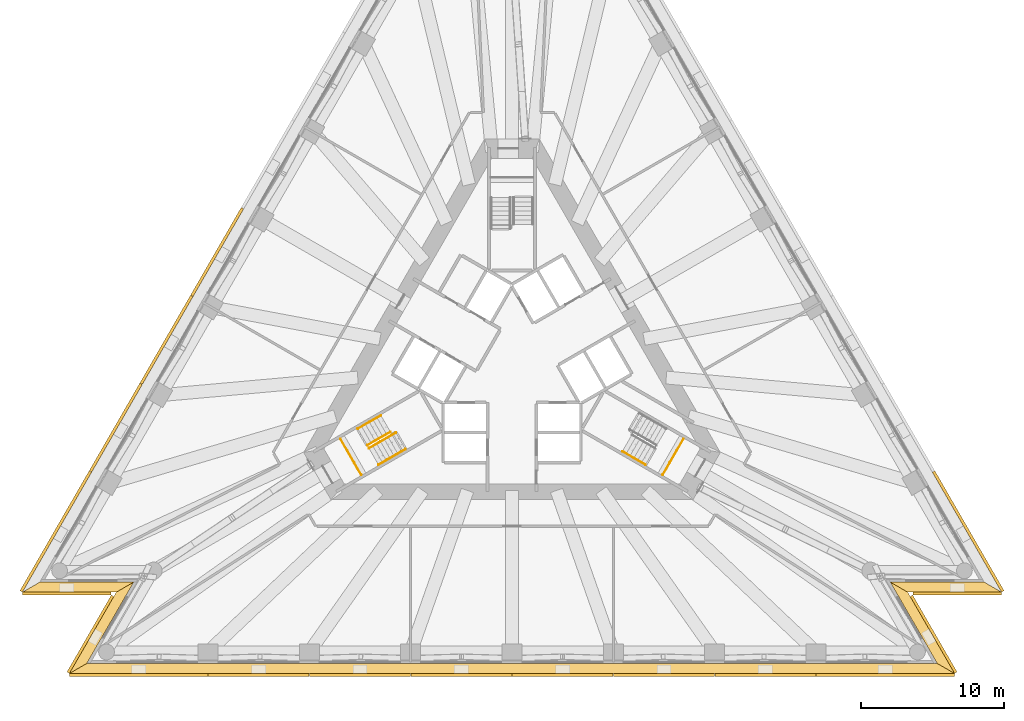
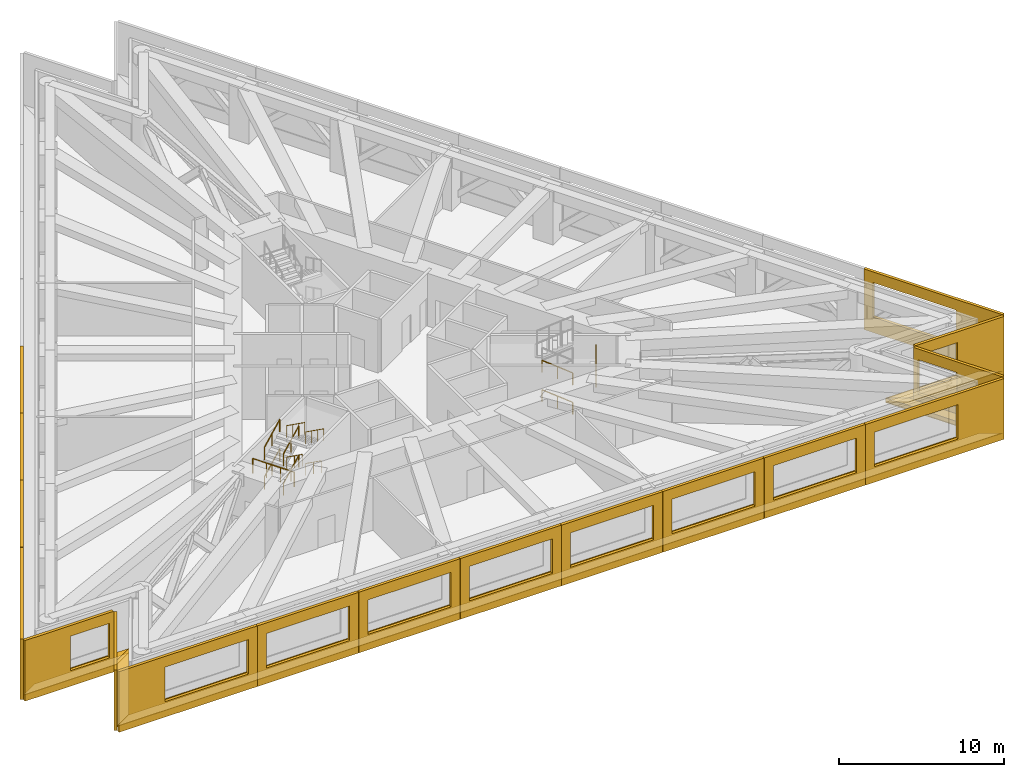
# One storey, part 12 of 13: 22 shading devices, 12 railings, 5 coverings, 2 elements without a shape of their own.
"""IFC4 building model written with IfcOpenShell, lengths in metres."""

from ifc_helpers import new_model, si_unit, direction, frame, origin, origin_2d, place, context, subcontext, project, spatial, polyline, circle, outline, extrude, material, layer, layer_set, layer_usage, type_object, element, aggregate, save


model = new_model("IFC4")

# Units and contexts
model_context = context("Model", 3, precision=1e-05, world=origin(), true_north=direction((0.0, 1.0)))
body_context = subcontext(model_context, "Body", "Model", "MODEL_VIEW")
ifc_project = project(units=[si_unit("LENGTHUNIT", "METRE"), si_unit("AREAUNIT", "SQUARE_METRE"), si_unit("VOLUMEUNIT", "CUBIC_METRE"), si_unit("PLANEANGLEUNIT", "RADIAN"), si_unit("MASSUNIT", "GRAM", prefix="KILO")], contexts=[model_context])

# Site, building, storey
site_placement = place(None, origin())
site = spatial("IfcSite", under=ifc_project, at=site_placement, CompositionType="ELEMENT")
building_placement = place(site_placement, origin())
building = spatial("IfcBuilding", under=site, at=building_placement, Name="Triada Interchange Tower", CompositionType="ELEMENT")
storey_placement = place(building_placement, frame((0.0, 0.0, 95.300048828125)))
storey = spatial("IfcBuildingStorey", under=building, at=storey_placement, Name="L21", CompositionType="ELEMENT", Elevation=95.300048828125)

# Coverings
ifc_material_1 = material(Name="Mineral fire-stop board")
ifc_layer_1 = layer(ifc_material_1, 0.0400390625, Name="Mineral fire-stop board")
ifc_material_2 = material(Name="Intumescent sealant")
ifc_layer_2 = layer(ifc_material_2, 0.010009765625, Name="Intumescent seal")
ifc_layer_set_1 = layer_set([ifc_layer_1, ifc_layer_2], Name="Cavity fire stop")
ifc_layer_usage = layer_usage(ifc_layer_set_1, "AXIS3", "POSITIVE", 0.0)
covering_type = type_object("IfcCoveringType", Name="Cavity fire stop", PredefinedType="INSULATION", material=ifc_layer_set_1)
covering_1_placement = place(storey_placement, origin())
element("IfcCovering", 1, at=covering_1_placement, inside=storey, type_object=covering_type, material=ifc_layer_usage, Name="Cavity fire stop L21 SW-1", PredefinedType="INSULATION", context=body_context, shape_type="SweptSolid", body=[
    extrude(outline(polyline([(-32.985107421875, -15.257080078125), (-34.197021484375, -15.95703125), (-27.637939453125, -15.95703125), (-26.426025390625, -15.257080078125), (-32.985107421875, -15.257080078125)])), origin(), (0.0, 0.0, 1.0), 0.050048828125),
])
covering_2_placement = place(storey_placement, origin())
element("IfcCovering", 2, at=covering_2_placement, inside=storey, type_object=covering_type, material=ifc_layer_usage, Name="Cavity fire stop L21 SW-2", PredefinedType="INSULATION", context=body_context, shape_type="SweptSolid", body=[
    extrude(outline(polyline([(-26.426025390625, -15.257080078125), (-27.637939453125, -15.95703125), (-30.9169921875, -21.636962890625), (-29.705078125, -20.93701171875), (-26.426025390625, -15.257080078125)])), origin(), (0.0, 0.0, 1.0), 0.050048828125),
])
covering_3_placement = place(storey_placement, origin())
element("IfcCovering", 3, at=covering_3_placement, inside=storey, type_object=covering_type, material=ifc_layer_usage, Name="Cavity fire stop L21 S", PredefinedType="INSULATION", context=body_context, shape_type="SweptSolid", body=[
    extrude(outline(polyline([(-29.705078125, -20.93701171875), (-30.9169921875, -21.636962890625), (30.9169921875, -21.636962890625), (29.705078125, -20.93701171875), (-29.705078125, -20.93701171875)])), origin(), (0.0, 0.0, 1.0), 0.050048828125),
])
covering_4_placement = place(storey_placement, origin())
element("IfcCovering", 4, at=covering_4_placement, inside=storey, type_object=covering_type, material=ifc_layer_usage, Name="Cavity fire stop L21 SE-1", PredefinedType="INSULATION", context=body_context, shape_type="SweptSolid", body=[
    extrude(outline(polyline([(29.705078125, -20.93701171875), (30.9169921875, -21.636962890625), (27.637939453125, -15.95703125), (26.426025390625, -15.257080078125), (29.705078125, -20.93701171875)])), origin(), (0.0, 0.0, 1.0), 0.050048828125),
])
covering_5_placement = place(storey_placement, origin())
element("IfcCovering", 5, at=covering_5_placement, inside=storey, type_object=covering_type, material=ifc_layer_usage, Name="Cavity fire stop L21 SE-2", PredefinedType="INSULATION", context=body_context, shape_type="SweptSolid", body=[
    extrude(outline(polyline([(26.426025390625, -15.257080078125), (27.637939453125, -15.95703125), (34.197021484375, -15.95703125), (32.985107421875, -15.257080078125), (26.426025390625, -15.257080078125)])), origin(), (0.0, 0.0, 1.0), 0.050048828125),
])

# Shading devices
ifc_material_3 = material(Name="Aluminium louvre", Category="aluminium")
shading_device_type_1 = type_object("IfcShadingDeviceType", Name="Cavity louvre grille", PredefinedType="JALOUSIE", material=ifc_material_3)
shading_device_1_placement = place(storey_placement, frame((0.0, 0.0, 0.050048828125)))
element("IfcShadingDevice", 6, at=shading_device_1_placement, inside=storey, type_object=shading_device_type_1, Name="Cavity louvre grille L21 SW-1", PredefinedType="JALOUSIE", context=body_context, shape_type="SweptSolid", body=[
    extrude(outline(polyline([(-32.985107421875, -15.257080078125), (-34.197021484375, -15.95703125), (-27.637939453125, -15.95703125), (-26.426025390625, -15.257080078125), (-32.985107421875, -15.257080078125)])), origin(), (0.0, 0.0, 1.0), 0.2998046875),
])
shading_device_2_placement = place(storey_placement, frame((0.0, 0.0, 0.050048828125)))
element("IfcShadingDevice", 7, at=shading_device_2_placement, inside=storey, type_object=shading_device_type_1, Name="Cavity louvre grille L21 SW-2", PredefinedType="JALOUSIE", context=body_context, shape_type="SweptSolid", body=[
    extrude(outline(polyline([(-26.426025390625, -15.257080078125), (-27.637939453125, -15.95703125), (-30.9169921875, -21.636962890625), (-29.705078125, -20.93701171875), (-26.426025390625, -15.257080078125)])), origin(), (0.0, 0.0, 1.0), 0.2998046875),
])
shading_device_3_placement = place(storey_placement, frame((0.0, 0.0, 0.050048828125)))
element("IfcShadingDevice", 8, at=shading_device_3_placement, inside=storey, type_object=shading_device_type_1, Name="Cavity louvre grille L21 S", PredefinedType="JALOUSIE", context=body_context, shape_type="SweptSolid", body=[
    extrude(outline(polyline([(-29.705078125, -20.93701171875), (-30.9169921875, -21.636962890625), (30.9169921875, -21.636962890625), (29.705078125, -20.93701171875), (-29.705078125, -20.93701171875)])), origin(), (0.0, 0.0, 1.0), 0.2998046875),
])
shading_device_4_placement = place(storey_placement, frame((0.0, 0.0, 0.050048828125)))
element("IfcShadingDevice", 9, at=shading_device_4_placement, inside=storey, type_object=shading_device_type_1, Name="Cavity louvre grille L21 SE-1", PredefinedType="JALOUSIE", context=body_context, shape_type="SweptSolid", body=[
    extrude(outline(polyline([(29.705078125, -20.93701171875), (30.9169921875, -21.636962890625), (27.637939453125, -15.95703125), (26.426025390625, -15.257080078125), (29.705078125, -20.93701171875)])), origin(), (0.0, 0.0, 1.0), 0.2998046875),
])
shading_device_5_placement = place(storey_placement, frame((0.0, 0.0, 0.050048828125)))
element("IfcShadingDevice", 10, at=shading_device_5_placement, inside=storey, type_object=shading_device_type_1, Name="Cavity louvre grille L21 SE-2", PredefinedType="JALOUSIE", context=body_context, shape_type="SweptSolid", body=[
    extrude(outline(polyline([(26.426025390625, -15.257080078125), (27.637939453125, -15.95703125), (34.197021484375, -15.95703125), (32.985107421875, -15.257080078125), (26.426025390625, -15.257080078125)])), origin(), (0.0, 0.0, 1.0), 0.2998046875),
])
ifc_material_4 = material(Name="Concrete C50/60 precast", Category="concrete")
ifc_layer_3 = layer(ifc_material_4, 0.02001953125, Name="Exposed aggregate face")
ifc_layer_4 = layer(ifc_material_4, 0.179931640625, Name="Precast concrete screen")
ifc_layer_set_2 = layer_set([ifc_layer_3, ifc_layer_4], Name="Outer skin screen panel 4480")
shading_device_type_2 = type_object("IfcShadingDeviceType", Name="Outer skin screen panel 4480", PredefinedType="SHUTTER", material=ifc_layer_set_2)
shading_device_6_placement = place(storey_placement, frame((-18.742919921875, 10.81005859375, -0.2900390625), z_axis=(0.0, 0.0, 1.0), x_axis=(-0.500010820671, -0.866019156377, 0.0)))
element("IfcShadingDevice", 11, at=shading_device_6_placement, inside=storey, type_object=shading_device_type_2, Name="Outer skin screen panel L21 05", PredefinedType="SHUTTER", context=body_context, shape_type="SweptSolid", body=[
    extrude(outline(polyline([(0.0, 0.0), (7.059814453125, 0.0), (7.059814453125, 4.47998046875), (0.0, 4.47998046875), (0.0, 0.0)]), holes=[polyline([(0.6298828125, 1.139892578125), (0.6298828125, 3.68994140625), (6.4296875, 3.68994140625), (6.4296875, 1.139892578125), (0.6298828125, 1.139892578125)])]), frame((0.0, 0.0, 0.0), z_axis=(0.0, -1.0, 0.0), x_axis=(1.0, 0.0, 0.0)), (0.0, 0.0, 1.0), 0.199951171875),
])
shading_device_7_placement = place(storey_placement, frame((-22.282958984375, 4.678955078125, -0.2900390625), z_axis=(0.0, 0.0, 1.0), x_axis=(-0.49995092924, -0.866053732947, 0.0)))
element("IfcShadingDevice", 12, at=shading_device_7_placement, inside=storey, type_object=shading_device_type_2, Name="Outer skin screen panel L21 06", PredefinedType="SHUTTER", context=body_context, shape_type="SweptSolid", body=[
    extrude(outline(polyline([(0.0, 0.0), (7.060791015625, 0.0), (7.060791015625, 4.47998046875), (0.0, 4.47998046875), (0.0, 0.0)]), holes=[polyline([(0.6298828125, 1.139892578125), (0.6298828125, 3.68994140625), (6.429931640625, 3.68994140625), (6.429931640625, 1.139892578125), (0.6298828125, 1.139892578125)])]), frame((0.0, 0.0, 0.0), z_axis=(0.0, -1.0, 0.0), x_axis=(1.0, 0.0, 0.0)), (0.0, 0.0, 1.0), 0.199951171875),
])
shading_device_8_placement = place(storey_placement, frame((-25.822998046875, -1.452880859375, -0.2900390625), z_axis=(0.0, 0.0, 1.0), x_axis=(-0.500010820671, -0.866019156377, 0.0)))
element("IfcShadingDevice", 13, at=shading_device_8_placement, inside=storey, type_object=shading_device_type_2, Name="Outer skin screen panel L21 07", PredefinedType="SHUTTER", context=body_context, shape_type="SweptSolid", body=[
    extrude(outline(polyline([(0.0, 0.0), (7.059814453125, 0.0), (7.059814453125, 4.47998046875), (0.0, 4.47998046875), (0.0, 0.0)]), holes=[polyline([(0.6298828125, 1.139892578125), (0.6298828125, 3.68994140625), (6.429931640625, 3.68994140625), (6.429931640625, 1.139892578125), (0.6298828125, 1.139892578125)])]), frame((0.0, 0.0, 0.0), z_axis=(0.0, -1.0, 0.0), x_axis=(1.0, 0.0, 0.0)), (0.0, 0.0, 1.0), 0.199951171875),
])
shading_device_9_placement = place(storey_placement, frame((-29.363037109375, -7.583984375, -0.2900390625), z_axis=(0.0, 0.0, 1.0), x_axis=(-0.499991603482, -0.866030251462, 0.0)))
element("IfcShadingDevice", 14, at=shading_device_9_placement, inside=storey, type_object=shading_device_type_2, Name="Outer skin screen panel L21 08", PredefinedType="SHUTTER", context=body_context, shape_type="SweptSolid", body=[
    extrude(outline(polyline([(0.0, 0.0), (9.657958984375, 0.0), (9.657958984375, 4.47998046875), (0.0, 4.47998046875), (0.0, 0.0)]), holes=[polyline([(0.6298828125, 1.139892578125), (0.6298828125, 3.68994140625), (6.429931640625, 3.68994140625), (6.429931640625, 1.139892578125), (0.6298828125, 1.139892578125)])]), frame((0.0, 0.0, 0.0), z_axis=(0.0, -1.0, 0.0), x_axis=(1.0, 0.0, 0.0)), (0.0, 0.0, 1.0), 0.199951171875),
])
shading_device_10_placement = place(storey_placement, frame((-34.18701171875, -15.95703125, -0.2900390625), z_axis=(0.0, 0.0, 1.0), x_axis=(1.0, 0.0, 0.0)))
element("IfcShadingDevice", 15, at=shading_device_10_placement, inside=storey, type_object=shading_device_type_2, Name="Outer skin screen panel L21 09", PredefinedType="SHUTTER", context=body_context, shape_type="SweptSolid", body=[
    extrude(outline(polyline([(0.0, 0.0), (6.19189453125, 0.0), (6.19189453125, 4.47998046875), (0.0, 4.47998046875), (0.0, 0.0)]), holes=[polyline([(3.175048828125, 1.139892578125), (3.175048828125, 3.68994140625), (5.89208984375, 3.68994140625), (5.89208984375, 1.139892578125), (3.175048828125, 1.139892578125)])]), frame((0.0, 0.0, 0.0), z_axis=(0.0, -1.0, 0.0), x_axis=(1.0, 0.0, 0.0)), (0.0, 0.0, 1.0), 0.199951171875),
])
shading_device_11_placement = place(storey_placement, frame((-27.81591796875, -16.26611328125, -0.2900390625), z_axis=(0.0, 0.0, 1.0), x_axis=(-0.500066047367, -0.865987267961, 0.0)))
element("IfcShadingDevice", 16, at=shading_device_11_placement, inside=storey, type_object=shading_device_type_2, Name="Outer skin screen panel L21 10", PredefinedType="SHUTTER", context=body_context, shape_type="SweptSolid", body=[
    extrude(outline(polyline([(0.0, 0.0), (6.191650390625, 0.0), (6.191650390625, 4.47998046875), (0.0, 4.47998046875), (0.0, 0.0)]), holes=[polyline([(0.300048828125, 1.139892578125), (0.300048828125, 3.68994140625), (2.9580078125, 3.68994140625), (2.9580078125, 1.139892578125), (0.300048828125, 1.139892578125)])]), frame((0.0, 0.0, 0.0), z_axis=(0.0, -1.0, 0.0), x_axis=(1.0, 0.0, 0.0)), (0.0, 0.0, 1.0), 0.199951171875),
])
shading_device_12_placement = place(storey_placement, frame((-30.906982421875, -21.636962890625, -0.2900390625), z_axis=(0.0, 0.0, 1.0), x_axis=(1.0, 0.0, 0.0)))
element("IfcShadingDevice", 17, at=shading_device_12_placement, inside=storey, type_object=shading_device_type_2, Name="Outer skin screen panel L21 11", PredefinedType="SHUTTER", context=body_context, shape_type="SweptSolid", body=[
    extrude(outline(polyline([(0.0, 0.0), (9.657958984375, 0.0), (9.657958984375, 4.47998046875), (0.0, 4.47998046875), (0.0, 0.0)]), holes=[polyline([(3.22802734375, 1.139892578125), (3.22802734375, 3.68994140625), (9.028076171875, 3.68994140625), (9.028076171875, 1.139892578125), (3.22802734375, 1.139892578125)])]), frame((0.0, 0.0, 0.0), z_axis=(0.0, -1.0, 0.0), x_axis=(1.0, 0.0, 0.0)), (0.0, 0.0, 1.0), 0.199951171875),
])
shading_device_13_placement = place(storey_placement, frame((-21.22900390625, -21.636962890625, -0.2900390625), z_axis=(0.0, 0.0, 1.0), x_axis=(1.0, 0.0, 0.0)))
element("IfcShadingDevice", 18, at=shading_device_13_placement, inside=storey, type_object=shading_device_type_2, Name="Outer skin screen panel L21 12", PredefinedType="SHUTTER", context=body_context, shape_type="SweptSolid", body=[
    extrude(outline(polyline([(0.0, 0.0), (7.05908203125, 0.0), (7.05908203125, 4.47998046875), (0.0, 4.47998046875), (0.0, 0.0)]), holes=[polyline([(0.630126953125, 1.139892578125), (0.630126953125, 3.68994140625), (6.43017578125, 3.68994140625), (6.43017578125, 1.139892578125), (0.630126953125, 1.139892578125)])]), frame((0.0, 0.0, 0.0), z_axis=(0.0, -1.0, 0.0), x_axis=(1.0, 0.0, 0.0)), (0.0, 0.0, 1.0), 0.199951171875),
])
shading_device_14_placement = place(storey_placement, frame((-14.14990234375, -21.636962890625, -0.2900390625), z_axis=(0.0, 0.0, 1.0), x_axis=(1.0, 0.0, 0.0)))
element("IfcShadingDevice", 19, at=shading_device_14_placement, inside=storey, type_object=shading_device_type_2, Name="Outer skin screen panel L21 13", PredefinedType="SHUTTER", context=body_context, shape_type="SweptSolid", body=[
    extrude(outline(polyline([(0.0, 0.0), (7.059814453125, 0.0), (7.059814453125, 4.47998046875), (0.0, 4.47998046875), (0.0, 0.0)]), holes=[polyline([(0.62939453125, 1.139892578125), (0.62939453125, 3.68994140625), (6.429443359375, 3.68994140625), (6.429443359375, 1.139892578125), (0.62939453125, 1.139892578125)])]), frame((0.0, 0.0, 0.0), z_axis=(0.0, -1.0, 0.0), x_axis=(1.0, 0.0, 0.0)), (0.0, 0.0, 1.0), 0.199951171875),
])
shading_device_15_placement = place(storey_placement, frame((-7.070068359375, -21.636962890625, -0.2900390625), z_axis=(0.0, 0.0, 1.0), x_axis=(1.0, 0.0, 0.0)))
element("IfcShadingDevice", 20, at=shading_device_15_placement, inside=storey, type_object=shading_device_type_2, Name="Outer skin screen panel L21 14", PredefinedType="SHUTTER", context=body_context, shape_type="SweptSolid", body=[
    extrude(outline(polyline([(0.0, 0.0), (7.06005859375, 0.0), (7.06005859375, 4.47998046875), (0.0, 4.47998046875), (0.0, 0.0)]), holes=[polyline([(0.629638671875, 1.139892578125), (0.629638671875, 3.68994140625), (6.4296875, 3.68994140625), (6.4296875, 1.139892578125), (0.629638671875, 1.139892578125)])]), frame((0.0, 0.0, 0.0), z_axis=(0.0, -1.0, 0.0), x_axis=(1.0, 0.0, 0.0)), (0.0, 0.0, 1.0), 0.199951171875),
])
shading_device_16_placement = place(storey_placement, frame((0.010009765625, -21.636962890625, -0.2900390625), z_axis=(0.0, 0.0, 1.0), x_axis=(1.0, 0.0, 0.0)))
element("IfcShadingDevice", 21, at=shading_device_16_placement, inside=storey, type_object=shading_device_type_2, Name="Outer skin screen panel L21 15", PredefinedType="SHUTTER", context=body_context, shape_type="SweptSolid", body=[
    extrude(outline(polyline([(0.0, 0.0), (7.06005859375, 0.0), (7.06005859375, 4.47998046875), (0.0, 4.47998046875), (0.0, 0.0)]), holes=[polyline([(0.6298828125, 1.139892578125), (0.6298828125, 3.68994140625), (6.429931640625, 3.68994140625), (6.429931640625, 1.139892578125), (0.6298828125, 1.139892578125)])]), frame((0.0, 0.0, 0.0), z_axis=(0.0, -1.0, 0.0), x_axis=(1.0, 0.0, 0.0)), (0.0, 0.0, 1.0), 0.199951171875),
])
shading_device_17_placement = place(storey_placement, frame((7.090087890625, -21.636962890625, -0.2900390625), z_axis=(0.0, 0.0, 1.0), x_axis=(1.0, 0.0, 0.0)))
element("IfcShadingDevice", 22, at=shading_device_17_placement, inside=storey, type_object=shading_device_type_2, Name="Outer skin screen panel L21 16", PredefinedType="SHUTTER", context=body_context, shape_type="SweptSolid", body=[
    extrude(outline(polyline([(0.0, 0.0), (7.058837890625, 0.0), (7.058837890625, 4.47998046875), (0.0, 4.47998046875), (0.0, 0.0)]), holes=[polyline([(0.630126953125, 1.139892578125), (0.630126953125, 3.68994140625), (6.430419921875, 3.68994140625), (6.430419921875, 1.139892578125), (0.630126953125, 1.139892578125)])]), frame((0.0, 0.0, 0.0), z_axis=(0.0, -1.0, 0.0), x_axis=(1.0, 0.0, 0.0)), (0.0, 0.0, 1.0), 0.199951171875),
])
shading_device_18_placement = place(storey_placement, frame((14.1689453125, -21.636962890625, -0.2900390625), z_axis=(0.0, 0.0, 1.0), x_axis=(1.0, 0.0, 0.0)))
element("IfcShadingDevice", 23, at=shading_device_18_placement, inside=storey, type_object=shading_device_type_2, Name="Outer skin screen panel L21 17", PredefinedType="SHUTTER", context=body_context, shape_type="SweptSolid", body=[
    extrude(outline(polyline([(0.0, 0.0), (7.06005859375, 0.0), (7.06005859375, 4.47998046875), (0.0, 4.47998046875), (0.0, 0.0)]), holes=[polyline([(0.62939453125, 1.139892578125), (0.62939453125, 3.68994140625), (6.429443359375, 3.68994140625), (6.429443359375, 1.139892578125), (0.62939453125, 1.139892578125)])]), frame((0.0, 0.0, 0.0), z_axis=(0.0, -1.0, 0.0), x_axis=(1.0, 0.0, 0.0)), (0.0, 0.0, 1.0), 0.199951171875),
])
shading_device_19_placement = place(storey_placement, frame((21.2490234375, -21.636962890625, -0.2900390625), z_axis=(0.0, 0.0, 1.0), x_axis=(1.0, 0.0, 0.0)))
element("IfcShadingDevice", 24, at=shading_device_19_placement, inside=storey, type_object=shading_device_type_2, Name="Outer skin screen panel L21 18", PredefinedType="SHUTTER", context=body_context, shape_type="SweptSolid", body=[
    extrude(outline(polyline([(0.0, 0.0), (9.657958984375, 0.0), (9.657958984375, 4.47998046875), (0.0, 4.47998046875), (0.0, 0.0)]), holes=[polyline([(0.6298828125, 1.139892578125), (0.6298828125, 3.68994140625), (6.4296875, 3.68994140625), (6.4296875, 1.139892578125), (0.6298828125, 1.139892578125)])]), frame((0.0, 0.0, 0.0), z_axis=(0.0, -1.0, 0.0), x_axis=(1.0, 0.0, 0.0)), (0.0, 0.0, 1.0), 0.199951171875),
])
shading_device_20_placement = place(storey_placement, frame((30.912109375, -21.6279296875, -0.2900390625), z_axis=(0.0, 0.0, 1.0), x_axis=(-0.500066047367, 0.865987267961, 0.0)))
element("IfcShadingDevice", 25, at=shading_device_20_placement, inside=storey, type_object=shading_device_type_2, Name="Outer skin screen panel L21 19", PredefinedType="SHUTTER", context=body_context, shape_type="SweptSolid", body=[
    extrude(outline(polyline([(0.0, 0.0), (6.191650390625, 0.0), (6.191650390625, 4.47998046875), (0.0, 4.47998046875), (0.0, 0.0)]), holes=[polyline([(3.17529296875, 1.139892578125), (3.17529296875, 3.68994140625), (5.891845703125, 3.68994140625), (5.891845703125, 1.139892578125), (3.17529296875, 1.139892578125)])]), frame((0.0, 0.0, 0.0), z_axis=(0.0, -1.0, 0.0), x_axis=(1.0, 0.0, 0.0)), (0.0, 0.0, 1.0), 0.199951171875),
])
shading_device_21_placement = place(storey_placement, frame((27.9951171875, -15.95703125, -0.2900390625), z_axis=(0.0, 0.0, 1.0), x_axis=(1.0, 0.0, 0.0)))
element("IfcShadingDevice", 26, at=shading_device_21_placement, inside=storey, type_object=shading_device_type_2, Name="Outer skin screen panel L21 20", PredefinedType="SHUTTER", context=body_context, shape_type="SweptSolid", body=[
    extrude(outline(polyline([(0.0, 0.0), (6.19189453125, 0.0), (6.19189453125, 4.47998046875), (0.0, 4.47998046875), (0.0, 0.0)]), holes=[polyline([(0.300048828125, 1.139892578125), (0.300048828125, 3.68994140625), (2.9580078125, 3.68994140625), (2.9580078125, 1.139892578125), (0.300048828125, 1.139892578125)])]), frame((0.0, 0.0, 0.0), z_axis=(0.0, -1.0, 0.0), x_axis=(1.0, 0.0, 0.0)), (0.0, 0.0, 1.0), 0.199951171875),
])
shading_device_22_placement = place(storey_placement, frame((34.19189453125, -15.947998046875, -0.2900390625), z_axis=(0.0, 0.0, 1.0), x_axis=(-0.499991603482, 0.866030251462, 0.0)))
element("IfcShadingDevice", 27, at=shading_device_22_placement, inside=storey, type_object=shading_device_type_2, Name="Outer skin screen panel L21 21", PredefinedType="SHUTTER", context=body_context, shape_type="SweptSolid", body=[
    extrude(outline(polyline([(0.0, 0.0), (9.657958984375, 0.0), (9.657958984375, 4.47998046875), (0.0, 4.47998046875), (0.0, 0.0)]), holes=[polyline([(3.228271484375, 1.139892578125), (3.228271484375, 3.68994140625), (9.0283203125, 3.68994140625), (9.0283203125, 1.139892578125), (3.228271484375, 1.139892578125)])]), frame((0.0, 0.0, 0.0), z_axis=(0.0, -1.0, 0.0), x_axis=(1.0, 0.0, 0.0)), (0.0, 0.0, 1.0), 0.199951171875),
])

# Stair, railing
ifc_material_5 = material(Name="Concrete C35/45", Category="concrete")
stair_type = type_object("IfcStairType", Name="HALF TURN STAIR 1400", PredefinedType="HALF_TURN_STAIR", material=ifc_material_5)
stair_1_placement = place(storey_placement, origin())
stair_1 = element("IfcStair", 28, at=stair_1_placement, inside=storey, type_object=stair_type, Name="Exit stair S21-2", PredefinedType="HALF_TURN_STAIR")
ifc_material_6 = material(Name="Stainless steel 1.4301", Category="steel")
railing_type_1 = type_object("IfcRailingType", Name="STAIR GUARD 1100", PredefinedType="GUARDRAIL", material=ifc_material_6)
railing_1_placement = place(storey_placement, frame((-11.98291015625, -5.243896484375, 2.17236328125)))
railing_1 = element("IfcRailing", 29, at=railing_1_placement, type_object=railing_type_1, Name="Guard S21-2 1", PredefinedType="GUARDRAIL", context=body_context, shape_type="SweptSolid", body=[
    extrude(circle(Radius=0.02392578125, at=origin_2d()), frame((0.0, 0.0, 1.076171875), z_axis=(0.499877891294, -0.866095891802, 0.0), x_axis=(0.866095891802, 0.499877891294, 0.0)), (0.0, 0.0, 1.0), 2.900634765625),
    extrude(circle(Radius=0.02099609375, at=origin_2d()), origin(), (0.0, 0.0, 1.0), 1.052001953125),
    extrude(circle(Radius=0.02099609375, at=origin_2d()), frame((0.4833984375, -0.83740234375, 0.0)), (0.0, 0.0, 1.0), 1.052001953125),
    extrude(circle(Radius=0.02099609375, at=origin_2d()), frame((0.966552734375, -1.6748046875, 0.0)), (0.0, 0.0, 1.0), 1.052001953125),
    extrude(circle(Radius=0.02099609375, at=origin_2d()), frame((1.449951171875, -2.51220703125, 0.0)), (0.0, 0.0, 1.0), 1.052001953125),
])

stair_2_placement = place(storey_placement, origin())
stair_2 = element("IfcStair", 30, at=stair_2_placement, inside=storey, type_object=stair_type, Name="Exit stair S21-3", PredefinedType="HALF_TURN_STAIR")
railing_2_placement = place(storey_placement, frame((10.532958984375, -7.756103515625, 2.17236328125)))
railing_2 = element("IfcRailing", 31, at=railing_2_placement, type_object=railing_type_1, Name="Guard S21-3 1", PredefinedType="GUARDRAIL", context=body_context, shape_type="SweptSolid", body=[
    extrude(circle(Radius=0.02392578125, at=origin_2d()), frame((0.0, 0.0, 1.076171875), z_axis=(0.499877891294, 0.866095891802, 0.0), x_axis=(-0.866095891802, 0.499877891294, 0.0)), (0.0, 0.0, 1.0), 2.900634765625),
    extrude(circle(Radius=0.02099609375, at=origin_2d()), origin(), (0.0, 0.0, 1.0), 1.052001953125),
    extrude(circle(Radius=0.02099609375, at=origin_2d()), frame((0.4833984375, 0.83740234375, 0.0)), (0.0, 0.0, 1.0), 1.052001953125),
    extrude(circle(Radius=0.02099609375, at=origin_2d()), frame((0.966552734375, 1.6748046875, 0.0)), (0.0, 0.0, 1.0), 1.052001953125),
    extrude(circle(Radius=0.02099609375, at=origin_2d()), frame((1.449951171875, 2.51220703125, 0.0)), (0.0, 0.0, 1.0), 1.052001953125),
])

# Railing
railing_type_2 = type_object("IfcRailingType", Name="STAIR HANDRAIL 900", PredefinedType="HANDRAIL", material=ifc_material_6)
railing_3_placement = place(storey_placement, frame((-10.77099609375, -4.5439453125, 0.155029296875)))
railing_3 = element("IfcRailing", 32, at=railing_3_placement, type_object=railing_type_2, Name="Handrail S21-2 1W", PredefinedType="HANDRAIL", context=body_context, shape_type="SweptSolid", body=[
    extrude(circle(Radius=0.02392578125, at=origin_2d()), frame((0.0, 0.0, 0.8759765625), z_axis=(0.774469289278, 0.447030386856, 0.447617194925), x_axis=(-0.499908018857, 0.866078502609, 0.0)), (0.0, 0.0, 1.0), 2.080322265625),
    extrude(circle(Radius=0.02099609375, at=origin_2d()), origin(), (0.0, 0.0, 1.0), 0.851806640625),
    extrude(circle(Radius=0.02099609375, at=origin_2d()), frame((0.8056640625, 0.46484375, 0.465576171875)), (0.0, 0.0, 1.0), 0.851806640625),
    extrude(circle(Radius=0.02099609375, at=origin_2d()), frame((1.611083984375, 0.929931640625, 0.93115234375)), (0.0, 0.0, 1.0), 0.851806640625),
])

railing_4_placement = place(storey_placement, frame((-10.10595703125, -5.696044921875, 0.155029296875)))
railing_4 = element("IfcRailing", 33, at=railing_4_placement, type_object=railing_type_2, Name="Handrail S21-2 1C", PredefinedType="HANDRAIL", context=body_context, shape_type="SweptSolid", body=[
    extrude(circle(Radius=0.02392578125, at=origin_2d()), frame((0.0, 0.0, 0.8759765625), z_axis=(0.774422315071, 0.447071021234, 0.447657882643), x_axis=(-0.499964847546, 0.866045698112, 0.0)), (0.0, 0.0, 1.0), 2.080078125),
    extrude(circle(Radius=0.02099609375, at=origin_2d()), origin(), (0.0, 0.0, 1.0), 0.851806640625),
    extrude(circle(Radius=0.02099609375, at=origin_2d()), frame((0.805419921875, 0.46484375, 0.465576171875)), (0.0, 0.0, 1.0), 0.851806640625),
    extrude(circle(Radius=0.02099609375, at=origin_2d()), frame((1.61083984375, 0.929931640625, 0.93115234375)), (0.0, 0.0, 1.0), 0.851806640625),
])

railing_5_placement = place(storey_placement, frame((-7.7099609375, -6.1259765625, 1.241455078125)))
railing_5 = element("IfcRailing", 34, at=railing_5_placement, type_object=railing_type_2, Name="Handrail S21-2 2W", PredefinedType="HANDRAIL", context=body_context, shape_type="SweptSolid", body=[
    extrude(circle(Radius=0.02392578125, at=origin_2d()), frame((0.0, 0.0, 0.8759765625), z_axis=(-0.774509972404, -0.447053869509, 0.447523340624), x_axis=(0.499908018857, -0.866078502609, 0.0)), (0.0, 0.0, 1.0), 2.080078125),
    extrude(circle(Radius=0.02099609375, at=origin_2d()), origin(), (0.0, 0.0, 1.0), 0.851806640625),
    extrude(circle(Radius=0.02099609375, at=origin_2d()), frame((-0.8056640625, -0.46484375, 0.46533203125)), (0.0, 0.0, 1.0), 0.851806640625),
    extrude(circle(Radius=0.02099609375, at=origin_2d()), frame((-1.611083984375, -0.929931640625, 0.930908203125)), (0.0, 0.0, 1.0), 0.851806640625),
])

railing_6_placement = place(storey_placement, frame((-8.375, -4.97412109375, 1.241455078125)))
railing_6 = element("IfcRailing", 35, at=railing_6_placement, type_object=railing_type_2, Name="Handrail S21-2 2C", PredefinedType="HANDRAIL", context=body_context, shape_type="SweptSolid", body=[
    extrude(circle(Radius=0.02392578125, at=origin_2d()), frame((0.0, 0.0, 0.8759765625), z_axis=(-0.774509972404, -0.447053869509, 0.447523340624), x_axis=(0.499908018857, -0.866078502609, 0.0)), (0.0, 0.0, 1.0), 2.080078125),
    extrude(circle(Radius=0.02099609375, at=origin_2d()), origin(), (0.0, 0.0, 1.0), 0.851806640625),
    extrude(circle(Radius=0.02099609375, at=origin_2d()), frame((-0.8056640625, -0.46484375, 0.46533203125)), (0.0, 0.0, 1.0), 0.851806640625),
    extrude(circle(Radius=0.02099609375, at=origin_2d()), frame((-1.611083984375, -0.929931640625, 0.930908203125)), (0.0, 0.0, 1.0), 0.851806640625),
])

railing_7_placement = place(storey_placement, frame((-10.77099609375, -4.5439453125, 2.32763671875)))
railing_7 = element("IfcRailing", 36, at=railing_7_placement, type_object=railing_type_2, Name="Handrail S21-2 3W", PredefinedType="HANDRAIL", context=body_context, shape_type="SweptSolid", body=[
    extrude(circle(Radius=0.02392578125, at=origin_2d()), frame((0.0, 0.0, 0.8759765625), z_axis=(0.774509972404, 0.447053869509, 0.447523340624), x_axis=(-0.499908018857, 0.866078502609, 0.0)), (0.0, 0.0, 1.0), 2.080078125),
    extrude(circle(Radius=0.02099609375, at=origin_2d()), origin(), (0.0, 0.0, 1.0), 0.851806640625),
    extrude(circle(Radius=0.02099609375, at=origin_2d()), frame((0.8056640625, 0.46484375, 0.46533203125)), (0.0, 0.0, 1.0), 0.851806640625),
    extrude(circle(Radius=0.02099609375, at=origin_2d()), frame((1.611083984375, 0.929931640625, 0.930908203125)), (0.0, 0.0, 1.0), 0.851806640625),
])

railing_8_placement = place(storey_placement, frame((-10.10595703125, -5.696044921875, 2.32763671875)))
railing_8 = element("IfcRailing", 37, at=railing_8_placement, type_object=railing_type_2, Name="Handrail S21-2 3C", PredefinedType="HANDRAIL", context=body_context, shape_type="SweptSolid", body=[
    extrude(circle(Radius=0.02392578125, at=origin_2d()), frame((0.0, 0.0, 0.8759765625), z_axis=(0.774463003126, 0.447094510292, 0.447564024086), x_axis=(-0.499964847546, 0.866045698112, 0.0)), (0.0, 0.0, 1.0), 2.079833984375),
    extrude(circle(Radius=0.02099609375, at=origin_2d()), origin(), (0.0, 0.0, 1.0), 0.851806640625),
    extrude(circle(Radius=0.02099609375, at=origin_2d()), frame((0.805419921875, 0.46484375, 0.46533203125)), (0.0, 0.0, 1.0), 0.851806640625),
    extrude(circle(Radius=0.02099609375, at=origin_2d()), frame((1.61083984375, 0.929931640625, 0.930908203125)), (0.0, 0.0, 1.0), 0.851806640625),
])

railing_9_placement = place(storey_placement, frame((-7.44189453125, -5.970947265625, 3.413818359375)))
railing_9 = element("IfcRailing", 38, at=railing_9_placement, type_object=railing_type_2, Name="Handrail S21-2 4W", PredefinedType="HANDRAIL", context=body_context, shape_type="SweptSolid", body=[
    extrude(circle(Radius=0.02392578125, at=origin_2d()), frame((0.0, 0.0, 0.8759765625), z_axis=(-0.774412913132, -0.447121084313, 0.447624145839), x_axis=(0.500011390128, -0.866018827591, 0.0)), (0.0, 0.0, 1.0), 2.426513671875),
    extrude(circle(Radius=0.02099609375, at=origin_2d()), origin(), (0.0, 0.0, 1.0), 0.851806640625),
    extrude(circle(Radius=0.02099609375, at=origin_2d()), frame((-0.62646484375, -0.361572265625, 0.362060546875)), (0.0, 0.0, 1.0), 0.851806640625),
    extrude(circle(Radius=0.02099609375, at=origin_2d()), frame((-1.252685546875, -0.723388671875, 0.72412109375)), (0.0, 0.0, 1.0), 0.851806640625),
    extrude(circle(Radius=0.02099609375, at=origin_2d()), frame((-1.879150390625, -1.0849609375, 1.086181640625)), (0.0, 0.0, 1.0), 0.851806640625),
])

railing_10_placement = place(storey_placement, frame((-8.10693359375, -4.819091796875, 3.413818359375)))
railing_10 = element("IfcRailing", 39, at=railing_10_placement, type_object=railing_type_2, Name="Handrail S21-2 4C", PredefinedType="HANDRAIL", context=body_context, shape_type="SweptSolid", body=[
    extrude(circle(Radius=0.02392578125, at=origin_2d()), frame((0.0, 0.0, 0.8759765625), z_axis=(-0.774412913132, -0.447121084313, 0.447624145839), x_axis=(0.500011390128, -0.866018827591, 0.0)), (0.0, 0.0, 1.0), 2.426513671875),
    extrude(circle(Radius=0.02099609375, at=origin_2d()), origin(), (0.0, 0.0, 1.0), 0.851806640625),
    extrude(circle(Radius=0.02099609375, at=origin_2d()), frame((-0.62646484375, -0.361572265625, 0.362060546875)), (0.0, 0.0, 1.0), 0.851806640625),
    extrude(circle(Radius=0.02099609375, at=origin_2d()), frame((-1.252685546875, -0.723388671875, 0.72412109375)), (0.0, 0.0, 1.0), 0.851806640625),
    extrude(circle(Radius=0.02099609375, at=origin_2d()), frame((-1.879150390625, -1.0849609375, 1.086181640625)), (0.0, 0.0, 1.0), 0.851806640625),
])

aggregate(stair_1, [railing_3, railing_4, railing_5, railing_6, railing_7, railing_8, railing_9, railing_10, railing_1])

railing_11_placement = place(storey_placement, frame((9.321044921875, -7.055908203125, 0.155029296875)))
railing_11 = element("IfcRailing", 40, at=railing_11_placement, type_object=railing_type_2, Name="Handrail S21-3 1W", PredefinedType="HANDRAIL", context=body_context, shape_type="SweptSolid", body=[
    extrude(circle(Radius=0.02392578125, at=origin_2d()), frame((0.0, 0.0, 0.8759765625), z_axis=(-0.774469289278, 0.447030386856, 0.447617194925), x_axis=(-0.499908018857, -0.866078502609, 0.0)), (0.0, 0.0, 1.0), 2.080322265625),
    extrude(circle(Radius=0.02099609375, at=origin_2d()), origin(), (0.0, 0.0, 1.0), 0.851806640625),
    extrude(circle(Radius=0.02099609375, at=origin_2d()), frame((-0.8056640625, 0.46484375, 0.465576171875)), (0.0, 0.0, 1.0), 0.851806640625),
    extrude(circle(Radius=0.02099609375, at=origin_2d()), frame((-1.611083984375, 0.929931640625, 0.93115234375)), (0.0, 0.0, 1.0), 0.851806640625),
])

railing_12_placement = place(storey_placement, frame((9.321044921875, -7.055908203125, 2.32763671875)))
railing_12 = element("IfcRailing", 41, at=railing_12_placement, type_object=railing_type_2, Name="Handrail S21-3 3W", PredefinedType="HANDRAIL", context=body_context, shape_type="SweptSolid", body=[
    extrude(circle(Radius=0.02392578125, at=origin_2d()), frame((0.0, 0.0, 0.8759765625), z_axis=(-0.774509972404, 0.447053869509, 0.447523340624), x_axis=(-0.499908018857, -0.866078502609, 0.0)), (0.0, 0.0, 1.0), 2.080078125),
    extrude(circle(Radius=0.02099609375, at=origin_2d()), origin(), (0.0, 0.0, 1.0), 0.851806640625),
    extrude(circle(Radius=0.02099609375, at=origin_2d()), frame((-0.8056640625, 0.46484375, 0.46533203125)), (0.0, 0.0, 1.0), 0.851806640625),
    extrude(circle(Radius=0.02099609375, at=origin_2d()), frame((-1.611083984375, 0.929931640625, 0.930908203125)), (0.0, 0.0, 1.0), 0.851806640625),
])

aggregate(stair_2, [railing_11, railing_12, railing_2])

save(model, "model.ifc")
